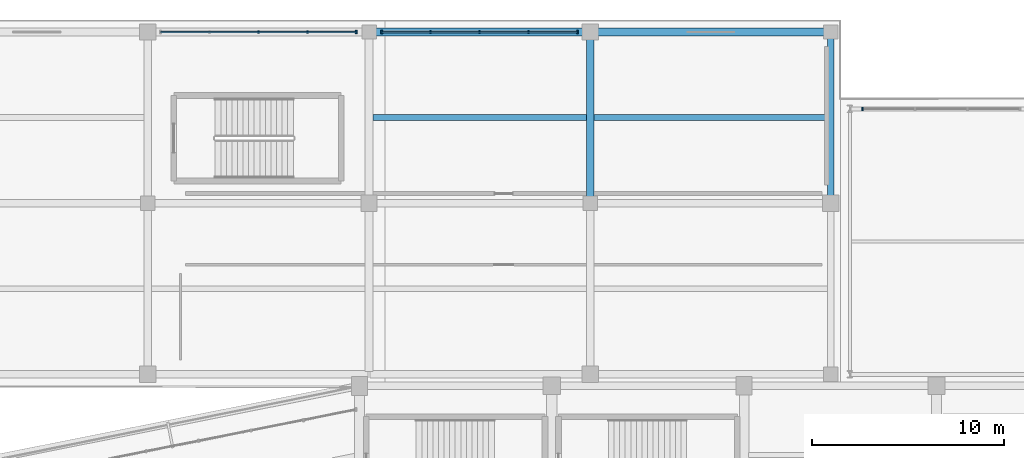
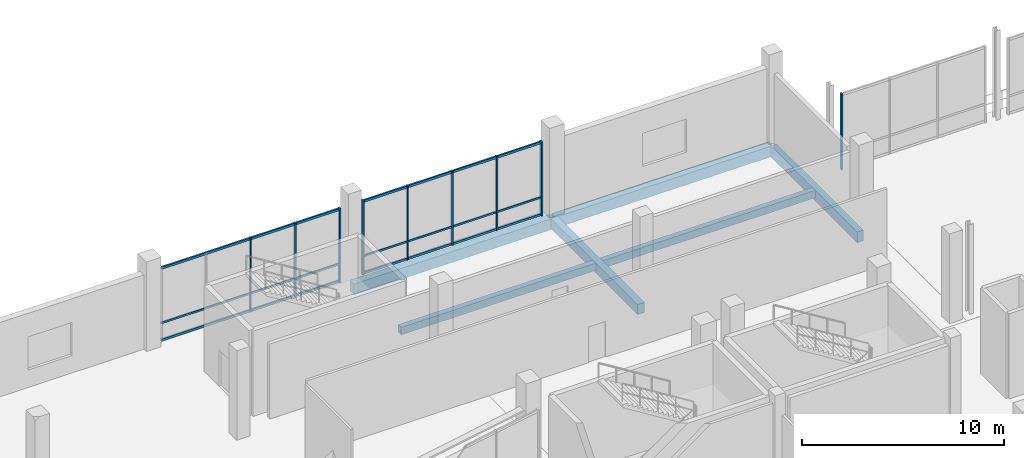
# One storey, part 53 of 114: 15 members, 6 beams, 3 elements without a shape of their own.
"""IFC4 building model written with IfcOpenShell, lengths in metres."""

import ifcopenshell
import ifcopenshell.guid

model = None  # the IFC model being written
_history = None  # IfcOwnerHistory: only IFC2X3 demands one
_inside = {}  # id of a spatial element -> (the spatial element, [elements in it])
_under = {}  # id of a project, library or spatial element -> (it, [spatial elements below it])
_declared = {}  # id of a project -> (the project, [libraries it declares])
_typed = {}  # id of a type object -> (the type object, [elements of that type])
_made_of = {}  # id of a material, layer set ... -> (it, [elements and type objects made of it])


def new_model(schema):
    """Start an empty IFC model of exactly this schema.

    Asked for "IFC4X3", IfcOpenShell would pick the latest addendum, in which some entities
    have other attributes; the version numbers below select the first issue.
    IFC2X3 requires an IfcOwnerHistory on every rooted entity: one is made here for all.
    """
    global model, _history
    if schema == "IFC4X3":
        model = ifcopenshell.file(schema_version=(4, 3, 0, 0))
    else:
        model = ifcopenshell.file(schema=schema)
    _inside.clear()
    _under.clear()
    _declared.clear()
    _typed.clear()
    _made_of.clear()
    _history = None
    if model.schema == "IFC2X3":
        org = make("IfcOrganization", Name="unknown")
        user = make(
            "IfcPersonAndOrganization",
            ThePerson=make("IfcPerson", FamilyName="unknown"),
            TheOrganization=org,
        )
        app = make(
            "IfcApplication",
            ApplicationDeveloper=org,
            Version="unknown",
            ApplicationFullName="unknown",
            ApplicationIdentifier="unknown",
        )
        _history = make(
            "IfcOwnerHistory",
            OwningUser=user,
            OwningApplication=app,
            ChangeAction="ADDED",
            CreationDate=0,
        )
    return model


def make(cls, **values):
    """One entity of the class cls with the attributes given. An attribute that is None is left unset."""
    return model.create_entity(
        cls, **{name: value for name, value in values.items() if value is not None}
    )


def rooted(cls, **values):
    """An entity with a GlobalId (a new one), such as an element, a storey or a relation."""
    return make(cls, GlobalId=ifcopenshell.guid.new(), OwnerHistory=_history, **values)


def si_unit(unit_type, name, prefix=None):
    """IfcSIUnit, for example si_unit("LENGTHUNIT", "METRE", prefix="MILLI")."""
    return make("IfcSIUnit", UnitType=unit_type, Prefix=prefix, Name=name)


def assignment(units):
    """IfcUnitAssignment: the units of a project."""
    return None if units is None else make("IfcUnitAssignment", Units=units)


def point(xyz):
    """IfcCartesianPoint."""
    return None if xyz is None else make("IfcCartesianPoint", Coordinates=xyz)


def direction(xyz):
    """IfcDirection."""
    return None if xyz is None else make("IfcDirection", DirectionRatios=xyz)


def frame(location, z_axis=None, x_axis=None):
    """IfcAxis2Placement3D, a coordinate frame: its origin and axes. An axis left out is left unset."""
    return make(
        "IfcAxis2Placement3D",
        Location=point(location),
        Axis=direction(z_axis),
        RefDirection=direction(x_axis),
    )


def frame_2d(location, x_axis=None):
    """IfcAxis2Placement2D, a coordinate frame in the plane: its origin and x axis."""
    return make(
        "IfcAxis2Placement2D", Location=point(location), RefDirection=direction(x_axis)
    )


def origin():
    """The frame at (0, 0, 0) with its axes left unset."""
    return frame((0.0, 0.0, 0.0))


def origin_2d():
    """The frame at (0, 0) in the plane with its x axis left unset."""
    return frame_2d((0.0, 0.0))


def place(relative_to, where):
    """IfcLocalPlacement: puts the frame where relative to a parent placement (None: the world)."""
    return make(
        "IfcLocalPlacement", PlacementRelTo=relative_to, RelativePlacement=where
    )


def context(
    kind, dimensions, precision=None, world=None, true_north=None, identifier=None
):
    """IfcGeometricRepresentationContext, for example the 3D "Model" context."""
    return make(
        "IfcGeometricRepresentationContext",
        ContextIdentifier=identifier,
        ContextType=kind,
        CoordinateSpaceDimension=dimensions,
        Precision=precision,
        WorldCoordinateSystem=world,
        TrueNorth=true_north,
    )


def subcontext(parent, identifier, kind, view, scale=None):
    """IfcGeometricRepresentationSubContext, for example "Body" below "Model"."""
    return make(
        "IfcGeometricRepresentationSubContext",
        ContextIdentifier=identifier,
        ContextType=kind,
        ParentContext=parent,
        TargetScale=scale,
        TargetView=view,
    )


def project(units=None, contexts=None):
    """IfcProject with its units and contexts."""
    return rooted(
        "IfcProject",
        Name="project",
        RepresentationContexts=contexts,
        UnitsInContext=assignment(units),
    )


def spatial(cls, under=None, at=None, **own):
    """A site, building, storey or space (cls), placed at a placement, below another one or the project."""
    s = rooted(cls, ObjectPlacement=at, **own)
    if under is not None:
        _under.setdefault(under.id(), (under, []))[1].append(s)
    return s


def profile(cls, at=None, kind="AREA", **sizes):
    """A parametric profile (cls). Its sizes go by their IFC names, for example OverallWidth=200.0."""
    return make(cls, ProfileType=kind, Position=at, **sizes)


def rectangle(**sizes):
    """IfcRectangleProfileDef."""
    return profile("IfcRectangleProfileDef", **sizes)


def extrude(swept, where, along, depth):
    """IfcExtrudedAreaSolid: the profile swept, set in the frame where, extruded along a direction by depth."""
    return make(
        "IfcExtrudedAreaSolid",
        SweptArea=swept,
        Position=where,
        ExtrudedDirection=direction(along),
        Depth=depth,
    )


def shape(context_of_items, identifier, shape_type, items):
    """IfcShapeRepresentation: the items that make up one representation, for example the "Body"."""
    return make(
        "IfcShapeRepresentation",
        ContextOfItems=context_of_items,
        RepresentationIdentifier=identifier,
        RepresentationType=shape_type,
        Items=items,
    )


def material(Name=None, Category=None):
    """IfcMaterial."""
    return make("IfcMaterial", Name=Name, Category=Category)


def material_profile(
    of_material, cross_section, Name=None, Category=None, Priority=None
):
    """IfcMaterialProfile: a cross section and its material."""
    return make(
        "IfcMaterialProfile",
        Name=Name,
        Material=of_material,
        Profile=cross_section,
        Priority=Priority,
        Category=Category,
    )


def profile_set(profiles, Name=None, composite=None):
    """IfcMaterialProfileSet."""
    return make(
        "IfcMaterialProfileSet",
        Name=Name,
        MaterialProfiles=profiles,
        CompositeProfile=composite,
    )


def made_of(thing, what):
    """Note that an element or type object is made of a material, layer set ...; save() writes the relation."""
    if what is not None:
        _made_of.setdefault(what.id(), (what, []))[1].append(thing)
    return thing


def type_object(cls, material=None, **own):
    """A type object (cls), such as IfcWallType, which elements share."""
    return made_of(rooted(cls, **own), material)


def element(
    cls,
    number,
    at=None,
    inside=None,
    cuts=None,
    type_object=None,
    material=None,
    context=None,
    identifier="Body",
    shape_type=None,
    held_by="IfcProductDefinitionShape",
    body=None,
    shapes=None,
    **own,
):
    """One element of the class cls, such as IfcWall. Its Tag is "e" and its number.

    at: its placement. inside: the storey or other place that contains it. cuts: it is an
    opening in that element (IfcRelVoidsElement). A single representation is given by context,
    identifier, shape_type and body (its items); several are given by shapes. held_by: the class
    of the entity that holds the representations. save() writes the other relations.
    """
    e = rooted(cls, Tag="e%d" % number, ObjectPlacement=at, **own)
    if body is not None:
        shapes = [shape(context, identifier, shape_type, body)]
    if shapes is not None:
        e.Representation = make(held_by, Representations=shapes)
    if inside is not None:
        _inside.setdefault(inside.id(), (inside, []))[1].append(e)
    if cuts is not None:
        rooted(
            "IfcRelVoidsElement", RelatingBuildingElement=cuts, RelatedOpeningElement=e
        )
    if type_object is not None:
        _typed.setdefault(type_object.id(), (type_object, []))[1].append(e)
    return made_of(e, material)


def aggregate(whole, parts):
    """IfcRelAggregates: a whole, such as a stair, and the parts it consists of."""
    return rooted("IfcRelAggregates", RelatingObject=whole, RelatedObjects=parts)


def save(model, path):
    """Write the relations noted so far, then the file.

    IfcRelAggregates (storeys below a building ...), IfcRelContainedInSpatialStructure (elements
    in a storey), IfcRelDefinesByType, IfcRelAssociatesMaterial and IfcRelDeclares: one each for
    every whole, place, type object, material and project.
    """
    for whole, parts in _under.values():
        aggregate(whole, parts)
    for where, things in _inside.values():
        rooted(
            "IfcRelContainedInSpatialStructure",
            RelatedElements=things,
            RelatingStructure=where,
        )
    for kind, things in _typed.values():
        rooted("IfcRelDefinesByType", RelatedObjects=things, RelatingType=kind)
    for what, things in _made_of.values():
        rooted("IfcRelAssociatesMaterial", RelatedObjects=things, RelatingMaterial=what)
    for by, libraries in _declared.values():
        rooted("IfcRelDeclares", RelatingContext=by, RelatedDefinitions=libraries)
    model.write(path)


model = new_model("IFC4")

# Units and contexts
model_context = context("Model", 3, precision=1e-05, world=origin(), true_north=direction((0.0, 1.0)))
body_context = subcontext(model_context, "Body", "Model", "MODEL_VIEW")
ifc_project = project(units=[si_unit("LENGTHUNIT", "METRE"), si_unit("AREAUNIT", "SQUARE_METRE"), si_unit("VOLUMEUNIT", "CUBIC_METRE"), si_unit("PLANEANGLEUNIT", "RADIAN"), si_unit("MASSUNIT", "GRAM", prefix="KILO")], contexts=[model_context])

# Site, building, storey
site_placement = place(None, origin())
site = spatial("IfcSite", under=ifc_project, at=site_placement, CompositionType="ELEMENT")
building_placement = place(site_placement, origin())
building = spatial("IfcBuilding", under=site, at=building_placement, Name="Candeia Ridge Stadium", CompositionType="ELEMENT")
storey_placement = place(building_placement, frame((0.0, 0.0, 5.39990234375)))
storey = spatial("IfcBuildingStorey", under=building, at=storey_placement, Name="L01", CompositionType="ELEMENT", Elevation=5.39990234375)

# Curtain wall, member
ifc_material_1 = material(Name="Aluminium Anodized Warm Bronze", Category="aluminium")
curtain_wall_type_1 = type_object("IfcCurtainWallType", Name="Museum & Boulevard Showcase Curtain Wall", PredefinedType="NOTDEFINED", material=ifc_material_1)
curtain_wall_1_placement = place(storey_placement, origin())
curtain_wall_1 = element("IfcCurtainWall", 1, at=curtain_wall_1_placement, inside=storey, type_object=curtain_wall_type_1, Name="Unitised curtain wall CW-WNG-L01-142", PredefinedType="NOTDEFINED")
ifc_material_profile_1 = material_profile(ifc_material_1, rectangle(XDim=0.090087890625, YDim=0.179931640625, at=origin_2d()), Name="CWM-90x180", Category="aluminium")
ifc_profile_set_1 = profile_set([ifc_material_profile_1], Name="Aluminium Anodized Warm Bronze")
member_type_1 = type_object("IfcMemberType", Name="Curtain Wall Primary Mullion 90x180", PredefinedType="MULLION", material=ifc_profile_set_1)
member_1_placement = place(storey_placement, frame((70.840087890625, 165.39990234375, 0.0), z_axis=(0.0, 0.0, 1.0), x_axis=(1.0, 0.0, 0.0)))
member_1 = element("IfcMember", 2, at=member_1_placement, type_object=member_type_1, Name="Curtain wall mullion CW-WNG-L01-142-M4", PredefinedType="MULLION", context=body_context, shape_type="SweptSolid", body=[
    extrude(rectangle(XDim=0.090087890625, YDim=0.179931640625, at=origin_2d()), origin(), (0.0, 0.0, 1.0), 4.47509765625),
])

# Curtain wall, members
curtain_wall_2_placement = place(storey_placement, origin())
curtain_wall_2 = element("IfcCurtainWall", 3, at=curtain_wall_2_placement, inside=storey, type_object=curtain_wall_type_1, Name="Unitised curtain wall CW-WNG-L01-143", PredefinedType="NOTDEFINED")
member_2_placement = place(storey_placement, frame((72.159912109375, 165.39990234375, 0.0), z_axis=(0.0, 0.0, 1.0), x_axis=(1.0, 0.0, 0.0)))
member_2 = element("IfcMember", 4, at=member_2_placement, type_object=member_type_1, Name="Curtain wall mullion CW-WNG-L01-143-M0", PredefinedType="MULLION", context=body_context, shape_type="SweptSolid", body=[
    extrude(rectangle(XDim=0.090087890625, YDim=0.179931640625, at=origin_2d()), origin(), (0.0, 0.0, 1.0), 4.47509765625),
])
member_3_placement = place(storey_placement, frame((82.340087890625, 165.39990234375, 0.0), z_axis=(0.0, 0.0, 1.0), x_axis=(1.0, 0.0, 0.0)))
member_3 = element("IfcMember", 5, at=member_3_placement, type_object=member_type_1, Name="Curtain wall mullion CW-WNG-L01-143-M4", PredefinedType="MULLION", context=body_context, shape_type="SweptSolid", body=[
    extrude(rectangle(XDim=0.090087890625, YDim=0.179931640625, at=origin_2d()), origin(), (0.0, 0.0, 1.0), 4.47509765625),
])

# Curtain wall, member
curtain_wall_type_2 = type_object("IfcCurtainWallType", Name="Cardinal Entrance Gate Tall Glazed Curtain Wall", PredefinedType="NOTDEFINED", material=ifc_material_1)
curtain_wall_3_placement = place(storey_placement, origin())
curtain_wall_3 = element("IfcCurtainWall", 6, at=curtain_wall_3_placement, inside=storey, type_object=curtain_wall_type_2, Name="Unitised curtain wall CW-WNG-L01-147", PredefinedType="NOTDEFINED")
member_4_placement = place(storey_placement, frame((97.159912109375, 161.39990234375, 0.0), z_axis=(0.0, 0.0, 1.0), x_axis=(1.0, 0.0, 0.0)))
member_4 = element("IfcMember", 7, at=member_4_placement, type_object=member_type_1, Name="Curtain wall mullion CW-WNG-L01-147-M0", PredefinedType="MULLION", context=body_context, shape_type="SweptSolid", body=[
    extrude(rectangle(XDim=0.090087890625, YDim=0.179931640625, at=origin_2d()), origin(), (0.0, 0.0, 1.0), 4.592041015625),
])
aggregate(curtain_wall_3, [member_4])

# Member
ifc_material_profile_2 = material_profile(ifc_material_1, rectangle(XDim=0.074951171875, YDim=0.14990234375, at=origin_2d()), Name="CWM-75x150", Category="aluminium")
ifc_profile_set_2 = profile_set([ifc_material_profile_2], Name="Aluminium Anodized Warm Bronze")
member_type_2 = type_object("IfcMemberType", Name="Curtain Wall Secondary Mullion 75x150", PredefinedType="MULLION", material=ifc_profile_set_2)
member_5_placement = place(storey_placement, frame((65.75, 165.39990234375, 0.0), z_axis=(0.0, 0.0, 1.0), x_axis=(1.0, 0.0, 0.0)))
member_5 = element("IfcMember", 8, at=member_5_placement, type_object=member_type_2, Name="Curtain wall mullion CW-WNG-L01-142-M2", PredefinedType="MULLION", context=body_context, shape_type="SweptSolid", body=[
    extrude(rectangle(XDim=0.074951171875, YDim=0.14990234375, at=origin_2d()), origin(), (0.0, 0.0, 1.0), 4.47509765625),
])

member_6_placement = place(storey_placement, frame((68.294921875, 165.39990234375, 0.0), z_axis=(0.0, 0.0, 1.0), x_axis=(1.0, 0.0, 0.0)))
member_6 = element("IfcMember", 9, at=member_6_placement, type_object=member_type_2, Name="Curtain wall mullion CW-WNG-L01-142-M3", PredefinedType="MULLION", context=body_context, shape_type="SweptSolid", body=[
    extrude(rectangle(XDim=0.074951171875, YDim=0.14990234375, at=origin_2d()), origin(), (0.0, 0.0, 1.0), 4.47509765625),
])

member_7_placement = place(storey_placement, frame((74.705078125, 165.39990234375, 0.0), z_axis=(0.0, 0.0, 1.0), x_axis=(1.0, 0.0, 0.0)))
member_7 = element("IfcMember", 10, at=member_7_placement, type_object=member_type_2, Name="Curtain wall mullion CW-WNG-L01-143-M1", PredefinedType="MULLION", context=body_context, shape_type="SweptSolid", body=[
    extrude(rectangle(XDim=0.074951171875, YDim=0.14990234375, at=origin_2d()), origin(), (0.0, 0.0, 1.0), 4.47509765625),
])

member_8_placement = place(storey_placement, frame((77.25, 165.39990234375, 0.0), z_axis=(0.0, 0.0, 1.0), x_axis=(1.0, 0.0, 0.0)))
member_8 = element("IfcMember", 11, at=member_8_placement, type_object=member_type_2, Name="Curtain wall mullion CW-WNG-L01-143-M2", PredefinedType="MULLION", context=body_context, shape_type="SweptSolid", body=[
    extrude(rectangle(XDim=0.074951171875, YDim=0.14990234375, at=origin_2d()), origin(), (0.0, 0.0, 1.0), 4.47509765625),
])

member_9_placement = place(storey_placement, frame((79.794921875, 165.39990234375, 0.0), z_axis=(0.0, 0.0, 1.0), x_axis=(1.0, 0.0, 0.0)))
member_9 = element("IfcMember", 12, at=member_9_placement, type_object=member_type_2, Name="Curtain wall mullion CW-WNG-L01-143-M3", PredefinedType="MULLION", context=body_context, shape_type="SweptSolid", body=[
    extrude(rectangle(XDim=0.074951171875, YDim=0.14990234375, at=origin_2d()), origin(), (0.0, 0.0, 1.0), 4.47509765625),
])

ifc_material_profile_3 = material_profile(ifc_material_1, rectangle(XDim=0.074951171875, YDim=0.110107421875, at=origin_2d()), Name="CWT-75x110", Category="aluminium")
ifc_profile_set_3 = profile_set([ifc_material_profile_3], Name="Aluminium Anodized Warm Bronze")
member_type_3 = type_object("IfcMemberType", Name="Curtain Wall Secondary Transom 75x110", PredefinedType="USERDEFINED", material=ifc_profile_set_3)
member_10_placement = place(storey_placement, frame((60.659912109375, 165.39990234375, 1.10009765625), z_axis=(1.0, 0.0, 0.0), x_axis=(0.0, 1.0, 0.0)))
member_10 = element("IfcMember", 13, at=member_10_placement, type_object=member_type_3, Name="Curtain wall transom CW-WNG-L01-142-T1", ObjectType="TRANSOM", PredefinedType="USERDEFINED", context=body_context, shape_type="SweptSolid", body=[
    extrude(rectangle(XDim=0.074951171875, YDim=0.110107421875, at=origin_2d()), origin(), (0.0, 0.0, 1.0), 10.18017578125),
])

member_11_placement = place(storey_placement, frame((72.159912109375, 165.39990234375, 1.10009765625), z_axis=(1.0, 0.0, 0.0), x_axis=(0.0, 1.0, 0.0)))
member_11 = element("IfcMember", 14, at=member_11_placement, type_object=member_type_3, Name="Curtain wall transom CW-WNG-L01-143-T1", ObjectType="TRANSOM", PredefinedType="USERDEFINED", context=body_context, shape_type="SweptSolid", body=[
    extrude(rectangle(XDim=0.074951171875, YDim=0.110107421875, at=origin_2d()), origin(), (0.0, 0.0, 1.0), 10.18017578125),
])

ifc_material_profile_4 = material_profile(ifc_material_1, rectangle(XDim=0.090087890625, YDim=0.139892578125, at=origin_2d()), Name="CWT-90x140", Category="aluminium")
ifc_profile_set_4 = profile_set([ifc_material_profile_4], Name="Aluminium Anodized Warm Bronze")
member_type_4 = type_object("IfcMemberType", Name="Curtain Wall Transom 90x140", PredefinedType="USERDEFINED", material=ifc_profile_set_4)
member_12_placement = place(storey_placement, frame((60.659912109375, 165.39990234375, 0.070068359375), z_axis=(1.0, 0.0, 0.0), x_axis=(0.0, 1.0, 0.0)))
member_12 = element("IfcMember", 15, at=member_12_placement, type_object=member_type_4, Name="Curtain wall transom CW-WNG-L01-142-T0", ObjectType="TRANSOM", PredefinedType="USERDEFINED", context=body_context, shape_type="SweptSolid", body=[
    extrude(rectangle(XDim=0.090087890625, YDim=0.139892578125, at=origin_2d()), origin(), (0.0, 0.0, 1.0), 10.18017578125),
])

member_13_placement = place(storey_placement, frame((60.659912109375, 165.39990234375, 4.405029296875), z_axis=(1.0, 0.0, 0.0), x_axis=(0.0, 1.0, 0.0)))
member_13 = element("IfcMember", 16, at=member_13_placement, type_object=member_type_4, Name="Curtain wall transom CW-WNG-L01-142-T2", ObjectType="TRANSOM", PredefinedType="USERDEFINED", context=body_context, shape_type="SweptSolid", body=[
    extrude(rectangle(XDim=0.090087890625, YDim=0.139892578125, at=origin_2d()), origin(), (0.0, 0.0, 1.0), 10.18017578125),
])

aggregate(curtain_wall_1, [member_5, member_6, member_1, member_12, member_10, member_13])

member_14_placement = place(storey_placement, frame((72.159912109375, 165.39990234375, 0.070068359375), z_axis=(1.0, 0.0, 0.0), x_axis=(0.0, 1.0, 0.0)))
member_14 = element("IfcMember", 17, at=member_14_placement, type_object=member_type_4, Name="Curtain wall transom CW-WNG-L01-143-T0", ObjectType="TRANSOM", PredefinedType="USERDEFINED", context=body_context, shape_type="SweptSolid", body=[
    extrude(rectangle(XDim=0.090087890625, YDim=0.139892578125, at=origin_2d()), origin(), (0.0, 0.0, 1.0), 10.18017578125),
])

member_15_placement = place(storey_placement, frame((72.159912109375, 165.39990234375, 4.405029296875), z_axis=(1.0, 0.0, 0.0), x_axis=(0.0, 1.0, 0.0)))
member_15 = element("IfcMember", 18, at=member_15_placement, type_object=member_type_4, Name="Curtain wall transom CW-WNG-L01-143-T2", ObjectType="TRANSOM", PredefinedType="USERDEFINED", context=body_context, shape_type="SweptSolid", body=[
    extrude(rectangle(XDim=0.090087890625, YDim=0.139892578125, at=origin_2d()), origin(), (0.0, 0.0, 1.0), 10.18017578125),
])

aggregate(curtain_wall_2, [member_2, member_7, member_8, member_9, member_3, member_14, member_11, member_15])

# Beams
ifc_material_2 = material(Name="Concrete C40/50", Category="concrete")
ifc_material_profile_5 = material_profile(ifc_material_2, rectangle(XDim=0.300048828125, YDim=0.449951171875, at=origin_2d()), Name="RC300x450", Category="concrete")
ifc_profile_set_5 = profile_set([ifc_material_profile_5], Name="Concrete C40/50")
beam_type_1 = type_object("IfcBeamType", Name="Floor Joist RC300x450", PredefinedType="JOIST", material=ifc_profile_set_5)
beam_1_placement = place(storey_placement, frame((71.699462890625, 160.949951171875, -0.48486328125), z_axis=(1.0, 0.0, 0.0), x_axis=(0.0, 1.0, 0.0)))
element("IfcBeam", 19, at=beam_1_placement, inside=storey, type_object=beam_type_1, Name="Wing secondary joist BM-L01-1563", PredefinedType="JOIST", context=body_context, shape_type="SweptSolid", body=[
    extrude(rectangle(XDim=0.300048828125, YDim=0.449951171875, at=origin_2d()), origin(), (0.0, 0.0, 1.0), 11.10107421875),
])
beam_2_placement = place(storey_placement, frame((83.199462890625, 160.949951171875, -0.48486328125), z_axis=(1.0, 0.0, 0.0), x_axis=(0.0, 1.0, 0.0)))
element("IfcBeam", 20, at=beam_2_placement, inside=storey, type_object=beam_type_1, Name="Wing secondary joist BM-L01-1568", PredefinedType="JOIST", context=body_context, shape_type="SweptSolid", body=[
    extrude(rectangle(XDim=0.300048828125, YDim=0.449951171875, at=origin_2d()), origin(), (0.0, 0.0, 1.0), 12.1259765625),
])
ifc_material_profile_6 = material_profile(ifc_material_2, rectangle(XDim=0.39990234375, YDim=0.60009765625, at=origin_2d()), Name="RC400x600", Category="concrete")
ifc_profile_set_6 = profile_set([ifc_material_profile_6], Name="Concrete C40/50")
beam_type_2 = type_object("IfcBeamType", Name="Frame Girder RC400x600", PredefinedType="BEAM", material=ifc_profile_set_6)
beam_3_placement = place(storey_placement, frame((83.0, 156.659912109375, -0.559814453125), z_axis=(0.0, 1.0, 0.0), x_axis=(-1.0, 0.0, 0.0)))
element("IfcBeam", 21, at=beam_3_placement, inside=storey, type_object=beam_type_2, Name="Structural girder BM-L01-1539", PredefinedType="BEAM", context=body_context, shape_type="SweptSolid", body=[
    extrude(rectangle(XDim=0.39990234375, YDim=0.60009765625, at=origin_2d()), origin(), (0.0, 0.0, 1.0), 8.580078125),
])
ifc_material_profile_7 = material_profile(ifc_material_2, rectangle(XDim=0.35009765625, YDim=0.64990234375, at=origin_2d()), Name="RC350x650", Category="concrete")
ifc_profile_set_7 = profile_set([ifc_material_profile_7], Name="Concrete C40/50")
beam_type_3 = type_object("IfcBeamType", Name="Spandrel Beam RC350x650", PredefinedType="SPANDREL", material=ifc_profile_set_7)
beam_4_placement = place(storey_placement, frame((95.5, 156.659912109375, -0.5849609375), z_axis=(0.0, 1.0, 0.0), x_axis=(-1.0, 0.0, 0.0)))
element("IfcBeam", 22, at=beam_4_placement, inside=storey, type_object=beam_type_3, Name="Structural girder BM-L01-1541", PredefinedType="SPANDREL", context=body_context, shape_type="SweptSolid", body=[
    extrude(rectangle(XDim=0.35009765625, YDim=0.64990234375, at=origin_2d()), origin(), (0.0, 0.0, 1.0), 8.580078125),
])
ifc_material_profile_8 = material_profile(ifc_material_2, rectangle(XDim=0.39990234375, YDim=0.64990234375, at=origin_2d()), Name="RC400x650", Category="concrete")
ifc_profile_set_8 = profile_set([ifc_material_profile_8], Name="Concrete C40/50")
beam_type_4 = type_object("IfcBeamType", Name="Wing Primary Girder RC400x650", PredefinedType="BEAM", material=ifc_profile_set_8)
beam_5_placement = place(storey_placement, frame((71.550048828125, 165.39990234375, -0.5849609375), z_axis=(1.0, 0.0, 0.0), x_axis=(0.0, 1.0, 0.0)))
element("IfcBeam", 23, at=beam_5_placement, inside=storey, type_object=beam_type_4, Name="Structural girder BM-L01-1564", PredefinedType="BEAM", context=body_context, shape_type="SweptSolid", body=[
    extrude(rectangle(XDim=0.39990234375, YDim=0.64990234375, at=origin_2d()), origin(), (0.0, 0.0, 1.0), 11.39990234375),
])
beam_6_placement = place(storey_placement, frame((83.050048828125, 165.39990234375, -0.5849609375), z_axis=(1.0, 0.0, 0.0), x_axis=(0.0, 1.0, 0.0)))
element("IfcBeam", 24, at=beam_6_placement, inside=storey, type_object=beam_type_4, Name="Structural girder BM-L01-1569", PredefinedType="BEAM", context=body_context, shape_type="SweptSolid", body=[
    extrude(rectangle(XDim=0.39990234375, YDim=0.64990234375, at=origin_2d()), origin(), (0.0, 0.0, 1.0), 12.39990234375),
])

save(model, "model.ifc")
